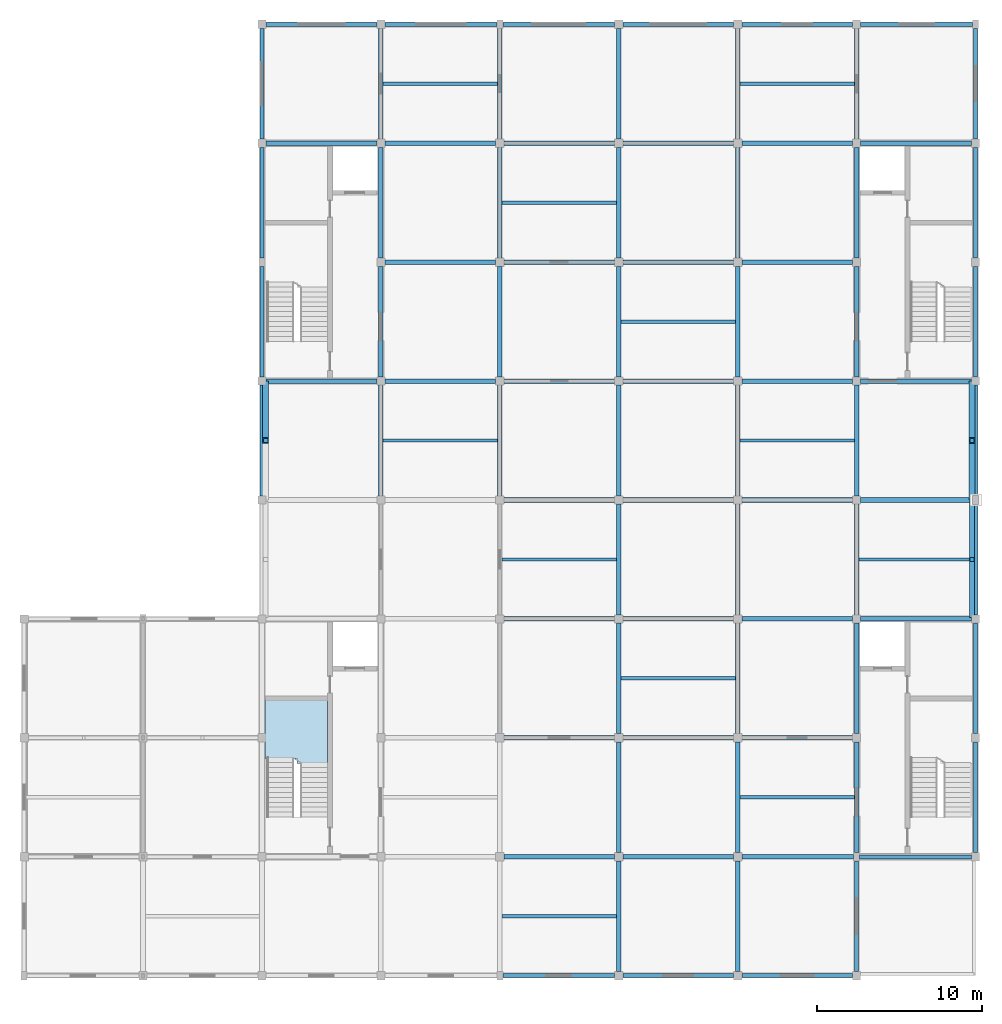
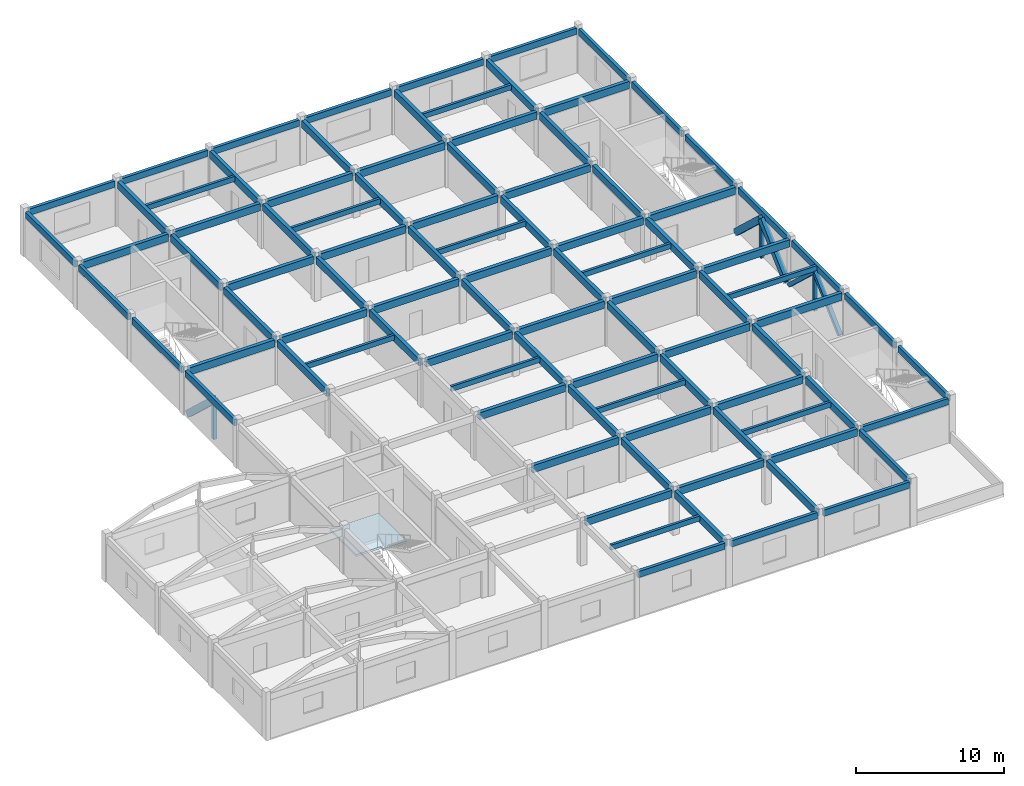
# One storey, part 5 of 10: 94 beams, 8 members, 1 slab, 1 element without a shape of its own.
"""IFC4 building model written with IfcOpenShell, lengths in metres."""

from ifc_helpers import new_model, si_unit, direction, frame, origin, origin_2d, place, context, subcontext, project, spatial, polyline, rectangle, outline, extrude, material, layer, layer_set, material_profile, profile_set, type_object, element, aggregate, save


model = new_model("IFC4")

# Units and contexts
model_context = context("Model", 3, precision=1e-05, world=origin(), true_north=direction((0.0, 1.0)))
body_context = subcontext(model_context, "Body", "Model", "MODEL_VIEW")
ifc_project = project(units=[si_unit("LENGTHUNIT", "METRE"), si_unit("AREAUNIT", "SQUARE_METRE"), si_unit("VOLUMEUNIT", "CUBIC_METRE"), si_unit("PLANEANGLEUNIT", "RADIAN"), si_unit("MASSUNIT", "GRAM", prefix="KILO")], contexts=[model_context])

# Site, building, storey
site_placement = place(None, origin())
site = spatial("IfcSite", under=ifc_project, at=site_placement, CompositionType="ELEMENT")
building_placement = place(site_placement, origin())
building = spatial("IfcBuilding", under=site, at=building_placement, Name="Cendaluz Park School", CompositionType="ELEMENT")
storey_placement = place(building_placement, frame((0.0, 0.0, 51.0)))
storey = spatial("IfcBuildingStorey", under=building, at=storey_placement, Name="L12", CompositionType="ELEMENT", Elevation=51.0)

# Beams
ifc_material_1 = material(Name="Glulam GL28h", Category="wood")
ifc_material_profile_1 = material_profile(ifc_material_1, rectangle(XDim=0.280029296875, YDim=0.60009765625, at=origin_2d()), Name="GL28h 280x600", Category="wood")
ifc_profile_set_1 = profile_set([ifc_material_profile_1], Name="Glulam GL28h")
beam_type_1 = type_object("IfcBeamType", Name="BM-GL02", PredefinedType="BEAM", material=ifc_profile_set_1)
for number, where, z_axis, x_axis, name in (
    (1, (65.050048828125, 43.199951171875, 3.389892578125), (1.0, 0.0, 0.0), (0.0, 1.0, 0.0), "BM-L12-BMGL02-0013"),
    (2, (65.050048828125, 57.60009765625, 3.389892578125), (1.0, 0.0, 0.0), (0.0, 1.0, 0.0), "BM-L12-BMGL02-0014"),
    (3, (72.25, 43.199951171875, 3.389892578125), (1.0, 0.0, 0.0), (0.0, 1.0, 0.0), "BM-L12-BMGL02-0021"),
    (4, (72.25, 50.39990234375, 3.389892578125), (1.0, 0.0, 0.0), (0.0, 1.0, 0.0), "BM-L12-BMGL02-0022"),
    (5, (72.25, 57.60009765625, 3.389892578125), (1.0, 0.0, 0.0), (0.0, 1.0, 0.0), "BM-L12-BMGL02-0023"),
    (6, (79.449951171875, 14.39990234375, 3.389892578125), (1.0, 0.0, 0.0), (0.0, 1.0, 0.0), "BM-L12-BMGL02-0026"),
    (7, (79.449951171875, 21.60009765625, 3.389892578125), (1.0, 0.0, 0.0), (0.0, 1.0, 0.0), "BM-L12-BMGL02-0027"),
    (8, (79.449951171875, 28.800048828125, 3.389892578125), (1.0, 0.0, 0.0), (0.0, 1.0, 0.0), "BM-L12-BMGL02-0028"),
    (9, (79.449951171875, 36.0, 3.389892578125), (1.0, 0.0, 0.0), (0.0, 1.0, 0.0), "BM-L12-BMGL02-0029"),
    (10, (79.449951171875, 43.199951171875, 3.389892578125), (1.0, 0.0, 0.0), (0.0, 1.0, 0.0), "BM-L12-BMGL02-0030"),
    (11, (79.449951171875, 50.39990234375, 3.389892578125), (1.0, 0.0, 0.0), (0.0, 1.0, 0.0), "BM-L12-BMGL02-0031"),
    (12, (79.449951171875, 57.60009765625, 3.389892578125), (1.0, 0.0, 0.0), (0.0, 1.0, 0.0), "BM-L12-BMGL02-0032"),
):
    element("IfcBeam", number, at=place(storey_placement, frame(where, z_axis=z_axis, x_axis=x_axis)), inside=storey, type_object=beam_type_1, Name=name, PredefinedType="BEAM", context=body_context, shape_type="SweptSolid", body=[
        extrude(rectangle(XDim=0.280029296875, YDim=0.60009765625, at=origin_2d()), origin(), (0.0, 0.0, 1.0), 6.699951171875),
    ])
for number, where, z_axis, x_axis, name in (
    (13, (86.64990234375, 14.39990234375, 3.389892578125), (1.0, 0.0, 0.0), (0.0, 1.0, 0.0), "BM-L12-BMGL02-0035"),
    (14, (86.64990234375, 21.60009765625, 3.389892578125), (1.0, 0.0, 0.0), (0.0, 1.0, 0.0), "BM-L12-BMGL02-0036"),
    (15, (86.64990234375, 28.800048828125, 3.389892578125), (1.0, 0.0, 0.0), (0.0, 1.0, 0.0), "BM-L12-BMGL02-0037"),
    (16, (86.64990234375, 36.0, 3.389892578125), (1.0, 0.0, 0.0), (0.0, 1.0, 0.0), "BM-L12-BMGL02-0038"),
    (17, (86.64990234375, 43.199951171875, 3.389892578125), (1.0, 0.0, 0.0), (0.0, 1.0, 0.0), "BM-L12-BMGL02-0039"),
    (18, (86.64990234375, 50.39990234375, 3.389892578125), (1.0, 0.0, 0.0), (0.0, 1.0, 0.0), "BM-L12-BMGL02-0040"),
    (19, (86.64990234375, 57.60009765625, 3.389892578125), (1.0, 0.0, 0.0), (0.0, 1.0, 0.0), "BM-L12-BMGL02-0041"),
):
    element("IfcBeam", number, at=place(storey_placement, frame(where, z_axis=z_axis, x_axis=x_axis)), inside=storey, type_object=beam_type_1, Name=name, PredefinedType="BEAM", context=body_context, shape_type="SweptSolid", body=[
        extrude(rectangle(XDim=0.280029296875, YDim=0.60009765625, at=origin_2d()), origin(), (0.0, 0.0, 1.0), 6.7001953125),
    ])
beam_1_placement = place(storey_placement, frame((93.85009765625, 14.39990234375, 3.389892578125), z_axis=(1.0, 0.0, 0.0), x_axis=(0.0, 1.0, 0.0)))
element("IfcBeam", 20, at=beam_1_placement, inside=storey, type_object=beam_type_1, Name="BM-L12-BMGL02-0044", PredefinedType="BEAM", context=body_context, shape_type="SweptSolid", body=[
    extrude(rectangle(XDim=0.280029296875, YDim=0.60009765625, at=origin_2d()), origin(), (0.0, 0.0, 1.0), 6.77001953125),
])
for number, where, z_axis, x_axis, name in (
    (21, (93.85009765625, 21.60009765625, 3.389892578125), (1.0, 0.0, 0.0), (0.0, 1.0, 0.0), "BM-L12-BMGL02-0045"),
    (22, (93.85009765625, 28.800048828125, 3.389892578125), (1.0, 0.0, 0.0), (0.0, 1.0, 0.0), "BM-L12-BMGL02-0046"),
    (23, (93.85009765625, 36.0, 3.389892578125), (1.0, 0.0, 0.0), (0.0, 1.0, 0.0), "BM-L12-BMGL02-0047"),
    (24, (93.85009765625, 43.199951171875, 3.389892578125), (1.0, 0.0, 0.0), (0.0, 1.0, 0.0), "BM-L12-BMGL02-0048"),
    (25, (93.85009765625, 50.39990234375, 3.389892578125), (1.0, 0.0, 0.0), (0.0, 1.0, 0.0), "BM-L12-BMGL02-0049"),
    (26, (93.85009765625, 57.60009765625, 3.389892578125), (1.0, 0.0, 0.0), (0.0, 1.0, 0.0), "BM-L12-BMGL02-0050"),
    (27, (101.050048828125, 28.800048828125, 3.389892578125), (1.0, 0.0, 0.0), (0.0, 1.0, 0.0), "BM-L12-BMGL02-0053"),
):
    element("IfcBeam", number, at=place(storey_placement, frame(where, z_axis=z_axis, x_axis=x_axis)), inside=storey, type_object=beam_type_1, Name=name, PredefinedType="BEAM", context=body_context, shape_type="SweptSolid", body=[
        extrude(rectangle(XDim=0.280029296875, YDim=0.60009765625, at=origin_2d()), origin(), (0.0, 0.0, 1.0), 6.699951171875),
    ])
beam_2_placement = place(storey_placement, frame((101.050048828125, 36.0, 3.389892578125), z_axis=(1.0, 0.0, 0.0), x_axis=(0.0, 1.0, 0.0)))
element("IfcBeam", 28, at=beam_2_placement, inside=storey, type_object=beam_type_1, Name="BM-L12-BMGL02-0054", PredefinedType="BEAM", context=body_context, shape_type="SweptSolid", body=[
    extrude(rectangle(XDim=0.280029296875, YDim=0.60009765625, at=origin_2d()), origin(), (0.0, 0.0, 1.0), 6.77001953125),
])
for number, where, z_axis, x_axis, name in (
    (29, (101.050048828125, 43.199951171875, 3.389892578125), (1.0, 0.0, 0.0), (0.0, 1.0, 0.0), "BM-L12-BMGL02-0055"),
    (30, (101.050048828125, 57.60009765625, 3.389892578125), (1.0, 0.0, 0.0), (0.0, 1.0, 0.0), "BM-L12-BMGL02-0056"),
    (31, (72.0, 36.25, 3.389892578125), (0.0, 1.0, 0.0), (-1.0, 0.0, 0.0), "BM-L12-BMGL02-0076"),
    (32, (72.0, 43.449951171875, 3.389892578125), (0.0, 1.0, 0.0), (-1.0, 0.0, 0.0), "BM-L12-BMGL02-0077"),
):
    element("IfcBeam", number, at=place(storey_placement, frame(where, z_axis=z_axis, x_axis=x_axis)), inside=storey, type_object=beam_type_1, Name=name, PredefinedType="BEAM", context=body_context, shape_type="SweptSolid", body=[
        extrude(rectangle(XDim=0.280029296875, YDim=0.60009765625, at=origin_2d()), origin(), (0.0, 0.0, 1.0), 6.699951171875),
    ])
beam_3_placement = place(storey_placement, frame((72.0, 50.64990234375, 3.389892578125), z_axis=(0.0, 1.0, 0.0), x_axis=(-1.0, 0.0, 0.0)))
element("IfcBeam", 33, at=beam_3_placement, inside=storey, type_object=beam_type_1, Name="BM-L12-BMGL02-0078", PredefinedType="BEAM", context=body_context, shape_type="SweptSolid", body=[
    extrude(rectangle(XDim=0.280029296875, YDim=0.60009765625, at=origin_2d()), origin(), (0.0, 0.0, 1.0), 6.7001953125),
])
for number, where, z_axis, x_axis, name in (
    (34, (72.0, 57.85009765625, 3.389892578125), (0.0, 1.0, 0.0), (-1.0, 0.0, 0.0), "BM-L12-BMGL02-0079"),
    (35, (79.199951171875, 36.25, 3.389892578125), (0.0, 1.0, 0.0), (-1.0, 0.0, 0.0), "BM-L12-BMGL02-0084"),
    (36, (79.199951171875, 43.449951171875, 3.389892578125), (0.0, 1.0, 0.0), (-1.0, 0.0, 0.0), "BM-L12-BMGL02-0085"),
):
    element("IfcBeam", number, at=place(storey_placement, frame(where, z_axis=z_axis, x_axis=x_axis)), inside=storey, type_object=beam_type_1, Name=name, PredefinedType="BEAM", context=body_context, shape_type="SweptSolid", body=[
        extrude(rectangle(XDim=0.280029296875, YDim=0.60009765625, at=origin_2d()), origin(), (0.0, 0.0, 1.0), 6.699951171875),
    ])
beam_4_placement = place(storey_placement, frame((79.199951171875, 50.64990234375, 3.389892578125), z_axis=(0.0, 1.0, 0.0), x_axis=(-1.0, 0.0, 0.0)))
element("IfcBeam", 37, at=beam_4_placement, inside=storey, type_object=beam_type_1, Name="BM-L12-BMGL02-0086", PredefinedType="BEAM", context=body_context, shape_type="SweptSolid", body=[
    extrude(rectangle(XDim=0.280029296875, YDim=0.60009765625, at=origin_2d()), origin(), (0.0, 0.0, 1.0), 6.7001953125),
])
beam_5_placement = place(storey_placement, frame((79.199951171875, 57.85009765625, 3.389892578125), z_axis=(0.0, 1.0, 0.0), x_axis=(-1.0, 0.0, 0.0)))
element("IfcBeam", 38, at=beam_5_placement, inside=storey, type_object=beam_type_1, Name="BM-L12-BMGL02-0087", PredefinedType="BEAM", context=body_context, shape_type="SweptSolid", body=[
    extrude(rectangle(XDim=0.280029296875, YDim=0.60009765625, at=origin_2d()), origin(), (0.0, 0.0, 1.0), 6.68994140625),
])
beam_6_placement = place(storey_placement, frame((86.39990234375, 7.449951171875, 3.389892578125), z_axis=(0.0, 1.0, 0.0), x_axis=(-1.0, 0.0, 0.0)))
element("IfcBeam", 39, at=beam_6_placement, inside=storey, type_object=beam_type_1, Name="BM-L12-BMGL02-0088", PredefinedType="BEAM", context=body_context, shape_type="SweptSolid", body=[
    extrude(rectangle(XDim=0.280029296875, YDim=0.60009765625, at=origin_2d()), origin(), (0.0, 0.0, 1.0), 6.699951171875),
])
beam_7_placement = place(storey_placement, frame((86.39990234375, 14.64990234375, 3.389892578125), z_axis=(0.0, 1.0, 0.0), x_axis=(-1.0, 0.0, 0.0)))
element("IfcBeam", 40, at=beam_7_placement, inside=storey, type_object=beam_type_1, Name="BM-L12-BMGL02-0089", PredefinedType="BEAM", context=body_context, shape_type="SweptSolid", body=[
    extrude(rectangle(XDim=0.280029296875, YDim=0.60009765625, at=origin_2d()), origin(), (0.0, 0.0, 1.0), 6.7001953125),
])
for number, where, z_axis, x_axis, name in (
    (41, (86.39990234375, 21.85009765625, 3.389892578125), (0.0, 1.0, 0.0), (-1.0, 0.0, 0.0), "BM-L12-BMGL02-0090"),
    (42, (86.39990234375, 29.050048828125, 3.389892578125), (0.0, 1.0, 0.0), (-1.0, 0.0, 0.0), "BM-L12-BMGL02-0091"),
    (43, (86.39990234375, 36.25, 3.389892578125), (0.0, 1.0, 0.0), (-1.0, 0.0, 0.0), "BM-L12-BMGL02-0092"),
    (44, (86.39990234375, 43.449951171875, 3.389892578125), (0.0, 1.0, 0.0), (-1.0, 0.0, 0.0), "BM-L12-BMGL02-0093"),
):
    element("IfcBeam", number, at=place(storey_placement, frame(where, z_axis=z_axis, x_axis=x_axis)), inside=storey, type_object=beam_type_1, Name=name, PredefinedType="BEAM", context=body_context, shape_type="SweptSolid", body=[
        extrude(rectangle(XDim=0.280029296875, YDim=0.60009765625, at=origin_2d()), origin(), (0.0, 0.0, 1.0), 6.699951171875),
    ])
beam_8_placement = place(storey_placement, frame((86.39990234375, 50.64990234375, 3.389892578125), z_axis=(0.0, 1.0, 0.0), x_axis=(-1.0, 0.0, 0.0)))
element("IfcBeam", 45, at=beam_8_placement, inside=storey, type_object=beam_type_1, Name="BM-L12-BMGL02-0094", PredefinedType="BEAM", context=body_context, shape_type="SweptSolid", body=[
    extrude(rectangle(XDim=0.280029296875, YDim=0.60009765625, at=origin_2d()), origin(), (0.0, 0.0, 1.0), 6.7001953125),
])
for number, where, z_axis, x_axis, name in (
    (46, (86.39990234375, 57.85009765625, 3.389892578125), (0.0, 1.0, 0.0), (-1.0, 0.0, 0.0), "BM-L12-BMGL02-0095"),
    (47, (93.60009765625, 7.449951171875, 3.389892578125), (0.0, 1.0, 0.0), (-1.0, 0.0, 0.0), "BM-L12-BMGL02-0096"),
):
    element("IfcBeam", number, at=place(storey_placement, frame(where, z_axis=z_axis, x_axis=x_axis)), inside=storey, type_object=beam_type_1, Name=name, PredefinedType="BEAM", context=body_context, shape_type="SweptSolid", body=[
        extrude(rectangle(XDim=0.280029296875, YDim=0.60009765625, at=origin_2d()), origin(), (0.0, 0.0, 1.0), 6.699951171875),
    ])
beam_9_placement = place(storey_placement, frame((93.60009765625, 14.64990234375, 3.389892578125), z_axis=(0.0, 1.0, 0.0), x_axis=(-1.0, 0.0, 0.0)))
element("IfcBeam", 48, at=beam_9_placement, inside=storey, type_object=beam_type_1, Name="BM-L12-BMGL02-0097", PredefinedType="BEAM", context=body_context, shape_type="SweptSolid", body=[
    extrude(rectangle(XDim=0.280029296875, YDim=0.60009765625, at=origin_2d()), origin(), (0.0, 0.0, 1.0), 6.7001953125),
])
for number, where, z_axis, x_axis, name in (
    (49, (93.60009765625, 21.85009765625, 3.389892578125), (0.0, 1.0, 0.0), (-1.0, 0.0, 0.0), "BM-L12-BMGL02-0098"),
    (50, (93.60009765625, 29.050048828125, 3.389892578125), (0.0, 1.0, 0.0), (-1.0, 0.0, 0.0), "BM-L12-BMGL02-0099"),
    (51, (93.60009765625, 36.25, 3.389892578125), (0.0, 1.0, 0.0), (-1.0, 0.0, 0.0), "BM-L12-BMGL02-0100"),
    (52, (93.60009765625, 43.449951171875, 3.389892578125), (0.0, 1.0, 0.0), (-1.0, 0.0, 0.0), "BM-L12-BMGL02-0101"),
):
    element("IfcBeam", number, at=place(storey_placement, frame(where, z_axis=z_axis, x_axis=x_axis)), inside=storey, type_object=beam_type_1, Name=name, PredefinedType="BEAM", context=body_context, shape_type="SweptSolid", body=[
        extrude(rectangle(XDim=0.280029296875, YDim=0.60009765625, at=origin_2d()), origin(), (0.0, 0.0, 1.0), 6.699951171875),
    ])
beam_10_placement = place(storey_placement, frame((93.60009765625, 50.64990234375, 3.389892578125), z_axis=(0.0, 1.0, 0.0), x_axis=(-1.0, 0.0, 0.0)))
element("IfcBeam", 53, at=beam_10_placement, inside=storey, type_object=beam_type_1, Name="BM-L12-BMGL02-0102", PredefinedType="BEAM", context=body_context, shape_type="SweptSolid", body=[
    extrude(rectangle(XDim=0.280029296875, YDim=0.60009765625, at=origin_2d()), origin(), (0.0, 0.0, 1.0), 6.7001953125),
])
beam_11_placement = place(storey_placement, frame((93.60009765625, 57.85009765625, 3.389892578125), z_axis=(0.0, 1.0, 0.0), x_axis=(-1.0, 0.0, 0.0)))
element("IfcBeam", 54, at=beam_11_placement, inside=storey, type_object=beam_type_1, Name="BM-L12-BMGL02-0103", PredefinedType="BEAM", context=body_context, shape_type="SweptSolid", body=[
    extrude(rectangle(XDim=0.280029296875, YDim=0.60009765625, at=origin_2d()), origin(), (0.0, 0.0, 1.0), 6.699951171875),
])
beam_12_placement = place(storey_placement, frame((100.800048828125, 14.659912109375, 3.389892578125), z_axis=(0.0, 1.0, 0.0), x_axis=(-1.0, 0.0, 0.0)))
element("IfcBeam", 55, at=beam_12_placement, inside=storey, type_object=beam_type_1, Name="BM-L12-BMGL02-0105", PredefinedType="BEAM", context=body_context, shape_type="SweptSolid", body=[
    extrude(rectangle(XDim=0.280029296875, YDim=0.60009765625, at=origin_2d()), origin(), (0.0, 0.0, 1.0), 6.690185546875),
])
for number, where, z_axis, x_axis, name in (
    (56, (100.800048828125, 21.85009765625, 3.389892578125), (0.0, 1.0, 0.0), (-1.0, 0.0, 0.0), "BM-L12-BMGL02-0106"),
    (57, (100.800048828125, 29.050048828125, 3.389892578125), (0.0, 1.0, 0.0), (-1.0, 0.0, 0.0), "BM-L12-BMGL02-0107"),
    (58, (100.800048828125, 36.25, 3.389892578125), (0.0, 1.0, 0.0), (-1.0, 0.0, 0.0), "BM-L12-BMGL02-0108"),
    (59, (100.800048828125, 43.449951171875, 3.389892578125), (0.0, 1.0, 0.0), (-1.0, 0.0, 0.0), "BM-L12-BMGL02-0109"),
):
    element("IfcBeam", number, at=place(storey_placement, frame(where, z_axis=z_axis, x_axis=x_axis)), inside=storey, type_object=beam_type_1, Name=name, PredefinedType="BEAM", context=body_context, shape_type="SweptSolid", body=[
        extrude(rectangle(XDim=0.280029296875, YDim=0.60009765625, at=origin_2d()), origin(), (0.0, 0.0, 1.0), 6.699951171875),
    ])
beam_13_placement = place(storey_placement, frame((100.800048828125, 50.64990234375, 3.389892578125), z_axis=(0.0, 1.0, 0.0), x_axis=(-1.0, 0.0, 0.0)))
element("IfcBeam", 60, at=beam_13_placement, inside=storey, type_object=beam_type_1, Name="BM-L12-BMGL02-0110", PredefinedType="BEAM", context=body_context, shape_type="SweptSolid", body=[
    extrude(rectangle(XDim=0.280029296875, YDim=0.60009765625, at=origin_2d()), origin(), (0.0, 0.0, 1.0), 6.7001953125),
])
beam_14_placement = place(storey_placement, frame((100.800048828125, 57.85009765625, 3.389892578125), z_axis=(0.0, 1.0, 0.0), x_axis=(-1.0, 0.0, 0.0)))
element("IfcBeam", 61, at=beam_14_placement, inside=storey, type_object=beam_type_1, Name="BM-L12-BMGL02-0111", PredefinedType="BEAM", context=body_context, shape_type="SweptSolid", body=[
    extrude(rectangle(XDim=0.280029296875, YDim=0.60009765625, at=origin_2d()), origin(), (0.0, 0.0, 1.0), 6.699951171875),
])
ifc_material_profile_2 = material_profile(ifc_material_1, rectangle(XDim=0.239990234375, YDim=0.52001953125, at=origin_2d()), Name="GL28h 240x520", Category="wood")
ifc_profile_set_2 = profile_set([ifc_material_profile_2], Name="Glulam GL28h")
beam_type_2 = type_object("IfcBeamType", Name="BM-GL03", PredefinedType="SPANDREL", material=ifc_profile_set_2)
beam_15_placement = place(storey_placement, frame((65.050048828125, 64.800048828125, 3.429931640625), z_axis=(1.0, 0.0, 0.0), x_axis=(0.0, 1.0, 0.0)))
element("IfcBeam", 62, at=beam_15_placement, inside=storey, type_object=beam_type_2, Name="BM-L12-BMGL03-0015", PredefinedType="SPANDREL", context=body_context, shape_type="SweptSolid", body=[
    extrude(rectangle(XDim=0.239990234375, YDim=0.52001953125, at=origin_2d()), origin(), (0.0, 0.0, 1.0), 6.699951171875),
])
for number, where, z_axis, x_axis, name in (
    (63, (72.25, 64.800048828125, 3.429931640625), (1.0, 0.0, 0.0), (0.0, 1.0, 0.0), "BM-L12-BMGL03-0024"),
    (64, (79.3798828125, 7.199951171875, 3.429931640625), (1.0, 0.0, 0.0), (0.0, 1.0, 0.0), "BM-L12-BMGL03-0025"),
    (65, (79.3798828125, 64.800048828125, 3.429931640625), (1.0, 0.0, 0.0), (0.0, 1.0, 0.0), "BM-L12-BMGL03-0033"),
):
    element("IfcBeam", number, at=place(storey_placement, frame(where, z_axis=z_axis, x_axis=x_axis)), inside=storey, type_object=beam_type_2, Name=name, PredefinedType="SPANDREL", context=body_context, shape_type="SweptSolid", body=[
        extrude(rectangle(XDim=0.239990234375, YDim=0.52001953125, at=origin_2d()), origin(), (0.0, 0.0, 1.0), 6.77001953125),
    ])
for number, where, z_axis, x_axis, name in (
    (66, (86.64990234375, 7.199951171875, 3.429931640625), (1.0, 0.0, 0.0), (0.0, 1.0, 0.0), "BM-L12-BMGL03-0034"),
    (67, (86.64990234375, 64.800048828125, 3.429931640625), (1.0, 0.0, 0.0), (0.0, 1.0, 0.0), "BM-L12-BMGL03-0042"),
):
    element("IfcBeam", number, at=place(storey_placement, frame(where, z_axis=z_axis, x_axis=x_axis)), inside=storey, type_object=beam_type_2, Name=name, PredefinedType="SPANDREL", context=body_context, shape_type="SweptSolid", body=[
        extrude(rectangle(XDim=0.239990234375, YDim=0.52001953125, at=origin_2d()), origin(), (0.0, 0.0, 1.0), 6.7001953125),
    ])
for number, where, z_axis, x_axis, name in (
    (68, (93.85009765625, 7.199951171875, 3.429931640625), (1.0, 0.0, 0.0), (0.0, 1.0, 0.0), "BM-L12-BMGL03-0043"),
    (69, (93.85009765625, 64.800048828125, 3.429931640625), (1.0, 0.0, 0.0), (0.0, 1.0, 0.0), "BM-L12-BMGL03-0051"),
):
    element("IfcBeam", number, at=place(storey_placement, frame(where, z_axis=z_axis, x_axis=x_axis)), inside=storey, type_object=beam_type_2, Name=name, PredefinedType="SPANDREL", context=body_context, shape_type="SweptSolid", body=[
        extrude(rectangle(XDim=0.239990234375, YDim=0.52001953125, at=origin_2d()), origin(), (0.0, 0.0, 1.0), 6.699951171875),
    ])
for number, where, z_axis, x_axis, name in (
    (70, (100.97998046875, 14.39990234375, 3.429931640625), (1.0, 0.0, 0.0), (0.0, 1.0, 0.0), "BM-L12-BMGL03-0052"),
    (71, (101.050048828125, 64.800048828125, 3.429931640625), (1.0, 0.0, 0.0), (0.0, 1.0, 0.0), "BM-L12-BMGL03-0057"),
):
    element("IfcBeam", number, at=place(storey_placement, frame(where, z_axis=z_axis, x_axis=x_axis)), inside=storey, type_object=beam_type_2, Name=name, PredefinedType="SPANDREL", context=body_context, shape_type="SweptSolid", body=[
        extrude(rectangle(XDim=0.239990234375, YDim=0.52001953125, at=origin_2d()), origin(), (0.0, 0.0, 1.0), 6.77001953125),
    ])
beam_16_placement = place(storey_placement, frame((64.800048828125, 36.25, 3.429931640625), z_axis=(0.0, 1.0, 0.0), x_axis=(-1.0, 0.0, 0.0)))
element("IfcBeam", 72, at=beam_16_placement, inside=storey, type_object=beam_type_2, Name="BM-L12-BMGL03-0068", PredefinedType="SPANDREL", context=body_context, shape_type="SweptSolid", body=[
    extrude(rectangle(XDim=0.239990234375, YDim=0.52001953125, at=origin_2d()), origin(), (0.0, 0.0, 1.0), 6.699951171875),
])
beam_17_placement = place(storey_placement, frame((64.800048828125, 43.449951171875, 3.429931640625), z_axis=(0.0, 1.0, 0.0), x_axis=(-1.0, 0.0, 0.0)))
element("IfcBeam", 73, at=beam_17_placement, inside=storey, type_object=beam_type_2, Name="BM-L12-BMGL03-0069", PredefinedType="SPANDREL", context=body_context, shape_type="SweptSolid", body=[
    extrude(rectangle(XDim=0.239990234375, YDim=0.52001953125, at=origin_2d()), origin(), (0.0, 0.0, 1.0), 6.68994140625),
])
beam_18_placement = place(storey_placement, frame((64.800048828125, 50.659912109375, 3.429931640625), z_axis=(0.0, 1.0, 0.0), x_axis=(-1.0, 0.0, 0.0)))
element("IfcBeam", 74, at=beam_18_placement, inside=storey, type_object=beam_type_2, Name="BM-L12-BMGL03-0070", PredefinedType="SPANDREL", context=body_context, shape_type="SweptSolid", body=[
    extrude(rectangle(XDim=0.239990234375, YDim=0.52001953125, at=origin_2d()), origin(), (0.0, 0.0, 1.0), 6.690185546875),
])
beam_19_placement = place(storey_placement, frame((64.800048828125, 57.85009765625, 3.429931640625), z_axis=(0.0, 1.0, 0.0), x_axis=(-1.0, 0.0, 0.0)))
element("IfcBeam", 75, at=beam_19_placement, inside=storey, type_object=beam_type_2, Name="BM-L12-BMGL03-0071", PredefinedType="SPANDREL", context=body_context, shape_type="SweptSolid", body=[
    extrude(rectangle(XDim=0.239990234375, YDim=0.52001953125, at=origin_2d()), origin(), (0.0, 0.0, 1.0), 6.699951171875),
])
beam_20_placement = place(storey_placement, frame((100.800048828125, 7.449951171875, 3.429931640625), z_axis=(0.0, 1.0, 0.0), x_axis=(-1.0, 0.0, 0.0)))
element("IfcBeam", 76, at=beam_20_placement, inside=storey, type_object=beam_type_2, Name="BM-L12-BMGL03-0104", PredefinedType="SPANDREL", context=body_context, shape_type="SweptSolid", body=[
    extrude(rectangle(XDim=0.239990234375, YDim=0.52001953125, at=origin_2d()), origin(), (0.0, 0.0, 1.0), 6.68994140625),
])
beam_21_placement = place(storey_placement, frame((108.0, 14.64990234375, 3.429931640625), z_axis=(0.0, 1.0, 0.0), x_axis=(-1.0, 0.0, 0.0)))
element("IfcBeam", 77, at=beam_21_placement, inside=storey, type_object=beam_type_2, Name="BM-L12-BMGL03-0112", PredefinedType="SPANDREL", context=body_context, shape_type="SweptSolid", body=[
    extrude(rectangle(XDim=0.239990234375, YDim=0.52001953125, at=origin_2d()), origin(), (0.0, 0.0, 1.0), 6.7001953125),
])
beam_22_placement = place(storey_placement, frame((108.0, 21.85009765625, 3.429931640625), z_axis=(0.0, 1.0, 0.0), x_axis=(-1.0, 0.0, 0.0)))
element("IfcBeam", 78, at=beam_22_placement, inside=storey, type_object=beam_type_2, Name="BM-L12-BMGL03-0113", PredefinedType="SPANDREL", context=body_context, shape_type="SweptSolid", body=[
    extrude(rectangle(XDim=0.239990234375, YDim=0.52001953125, at=origin_2d()), origin(), (0.0, 0.0, 1.0), 6.699951171875),
])
for number, where, z_axis, x_axis, name in (
    (79, (108.0, 29.050048828125, 3.429931640625), (0.0, 1.0, 0.0), (-1.0, 0.0, 0.0), "BM-L12-BMGL03-0114"),
    (80, (108.0, 36.260009765625, 3.429931640625), (0.0, 1.0, 0.0), (-1.0, 0.0, 0.0), "BM-L12-BMGL03-0115"),
):
    element("IfcBeam", number, at=place(storey_placement, frame(where, z_axis=z_axis, x_axis=x_axis)), inside=storey, type_object=beam_type_2, Name=name, PredefinedType="SPANDREL", context=body_context, shape_type="SweptSolid", body=[
        extrude(rectangle(XDim=0.239990234375, YDim=0.52001953125, at=origin_2d()), origin(), (0.0, 0.0, 1.0), 6.68994140625),
    ])
beam_23_placement = place(storey_placement, frame((108.0, 43.449951171875, 3.429931640625), z_axis=(0.0, 1.0, 0.0), x_axis=(-1.0, 0.0, 0.0)))
element("IfcBeam", 81, at=beam_23_placement, inside=storey, type_object=beam_type_2, Name="BM-L12-BMGL03-0116", PredefinedType="SPANDREL", context=body_context, shape_type="SweptSolid", body=[
    extrude(rectangle(XDim=0.239990234375, YDim=0.52001953125, at=origin_2d()), origin(), (0.0, 0.0, 1.0), 6.699951171875),
])
beam_24_placement = place(storey_placement, frame((108.0, 50.64990234375, 3.429931640625), z_axis=(0.0, 1.0, 0.0), x_axis=(-1.0, 0.0, 0.0)))
element("IfcBeam", 82, at=beam_24_placement, inside=storey, type_object=beam_type_2, Name="BM-L12-BMGL03-0117", PredefinedType="SPANDREL", context=body_context, shape_type="SweptSolid", body=[
    extrude(rectangle(XDim=0.239990234375, YDim=0.52001953125, at=origin_2d()), origin(), (0.0, 0.0, 1.0), 6.7001953125),
])
beam_25_placement = place(storey_placement, frame((108.0, 57.85009765625, 3.429931640625), z_axis=(0.0, 1.0, 0.0), x_axis=(-1.0, 0.0, 0.0)))
element("IfcBeam", 83, at=beam_25_placement, inside=storey, type_object=beam_type_2, Name="BM-L12-BMGL03-0118", PredefinedType="SPANDREL", context=body_context, shape_type="SweptSolid", body=[
    extrude(rectangle(XDim=0.239990234375, YDim=0.52001953125, at=origin_2d()), origin(), (0.0, 0.0, 1.0), 6.68994140625),
])
ifc_material_profile_3 = material_profile(ifc_material_1, rectangle(XDim=0.199951171875, YDim=0.419921875, at=origin_2d()), Name="GL28h 200x420", Category="wood")
ifc_profile_set_3 = profile_set([ifc_material_profile_3], Name="Glulam GL28h")
beam_type_3 = type_object("IfcBeamType", Name="JT-GL02", PredefinedType="JOIST", material=ifc_profile_set_3)
for number, where, z_axis, x_axis, name in (
    (84, (72.139892578125, 39.60009765625, 3.47998046875), (1.0, 0.0, 0.0), (0.0, 1.0, 0.0), "BM-L12-JTGL02-0122"),
    (85, (72.139892578125, 61.199951171875, 3.47998046875), (1.0, 0.0, 0.0), (0.0, 1.0, 0.0), "BM-L12-JTGL02-0123"),
):
    element("IfcBeam", number, at=place(storey_placement, frame(where, z_axis=z_axis, x_axis=x_axis)), inside=storey, type_object=beam_type_3, Name=name, PredefinedType="JOIST", context=body_context, shape_type="SweptSolid", body=[
        extrude(rectangle(XDim=0.199951171875, YDim=0.419921875, at=origin_2d()), origin(), (0.0, 0.0, 1.0), 6.920166015625),
    ])
for number, where, z_axis, x_axis, name in (
    (86, (79.340087890625, 10.800048828125, 3.47998046875), (1.0, 0.0, 0.0), (0.0, 1.0, 0.0), "BM-L12-JTGL02-0124"),
    (87, (79.340087890625, 32.39990234375, 3.47998046875), (1.0, 0.0, 0.0), (0.0, 1.0, 0.0), "BM-L12-JTGL02-0125"),
    (88, (79.340087890625, 54.0, 3.47998046875), (1.0, 0.0, 0.0), (0.0, 1.0, 0.0), "BM-L12-JTGL02-0126"),
    (89, (86.5400390625, 25.199951171875, 3.47998046875), (1.0, 0.0, 0.0), (0.0, 1.0, 0.0), "BM-L12-JTGL02-0127"),
    (90, (86.5400390625, 46.800048828125, 3.47998046875), (1.0, 0.0, 0.0), (0.0, 1.0, 0.0), "BM-L12-JTGL02-0128"),
    (91, (93.739990234375, 18.0, 3.47998046875), (1.0, 0.0, 0.0), (0.0, 1.0, 0.0), "BM-L12-JTGL02-0129"),
    (92, (93.739990234375, 39.60009765625, 3.47998046875), (1.0, 0.0, 0.0), (0.0, 1.0, 0.0), "BM-L12-JTGL02-0130"),
    (93, (93.739990234375, 61.199951171875, 3.47998046875), (1.0, 0.0, 0.0), (0.0, 1.0, 0.0), "BM-L12-JTGL02-0131"),
):
    element("IfcBeam", number, at=place(storey_placement, frame(where, z_axis=z_axis, x_axis=x_axis)), inside=storey, type_object=beam_type_3, Name=name, PredefinedType="JOIST", context=body_context, shape_type="SweptSolid", body=[
        extrude(rectangle(XDim=0.199951171875, YDim=0.419921875, at=origin_2d()), origin(), (0.0, 0.0, 1.0), 6.919921875),
    ])
beam_26_placement = place(storey_placement, frame((100.93994140625, 32.39990234375, 3.47998046875), z_axis=(1.0, 0.0, 0.0), x_axis=(0.0, 1.0, 0.0)))
element("IfcBeam", 94, at=beam_26_placement, inside=storey, type_object=beam_type_3, Name="BM-L12-JTGL02-0132", PredefinedType="JOIST", context=body_context, shape_type="SweptSolid", body=[
    extrude(rectangle(XDim=0.199951171875, YDim=0.419921875, at=origin_2d()), origin(), (0.0, 0.0, 1.0), 6.93994140625),
])

# Members
ifc_material_2 = material(Name="Glulam GL32h", Category="wood")
ifc_material_profile_4 = material_profile(ifc_material_2, rectangle(XDim=0.300048828125, YDim=0.300048828125, at=origin_2d()), Name="GL32h 300x300", Category="wood")
ifc_profile_set_4 = profile_set([ifc_material_profile_4], Name="Glulam GL32h")
member_type_1 = type_object("IfcMemberType", Name="MBR-03", PredefinedType="BRACE", material=ifc_profile_set_4)
member_1_placement = place(storey_placement, frame((107.780029296875, 28.97998046875, 0.0), z_axis=(0.0, 0.731267023111, 0.682091299541), x_axis=(-1.0, 0.0, 0.0)))
element("IfcMember", 95, at=member_1_placement, inside=storey, type_object=member_type_1, Name="MB-L12-MBBR03-0004", PredefinedType="BRACE", context=body_context, shape_type="SweptSolid", body=[
    extrude(rectangle(XDim=0.300048828125, YDim=0.300048828125, at=origin_2d()), origin(), (0.0, 0.0, 1.0), 4.6767578125),
])
member_2_placement = place(storey_placement, frame((107.780029296875, 35.820068359375, 0.0), z_axis=(0.0, -0.731291309336, 0.682065261459), x_axis=(1.0, 0.0, 0.0)))
element("IfcMember", 96, at=member_2_placement, inside=storey, type_object=member_type_1, Name="MB-L12-MBBR03-0005", PredefinedType="BRACE", context=body_context, shape_type="SweptSolid", body=[
    extrude(rectangle(XDim=0.300048828125, YDim=0.300048828125, at=origin_2d()), origin(), (0.0, 0.0, 1.0), 4.677001953125),
])
ifc_material_profile_5 = material_profile(ifc_material_2, rectangle(XDim=0.360107421875, YDim=0.52001953125, at=origin_2d()), Name="GL32h 360x520", Category="wood")
ifc_profile_set_5 = profile_set([ifc_material_profile_5], Name="Glulam GL32h")
member_type_2 = type_object("IfcMemberType", Name="MBR-04", PredefinedType="BRACE", material=ifc_profile_set_5)
member_3_placement = place(storey_placement, frame((65.02001953125, 43.02001953125, 0.0), z_axis=(0.0, -0.731267023111, 0.682091299541), x_axis=(1.0, 0.0, 0.0)))
element("IfcMember", 97, at=member_3_placement, inside=storey, type_object=member_type_2, Name="MB-L12-MBBR04-0008", PredefinedType="BRACE", context=body_context, shape_type="SweptSolid", body=[
    extrude(rectangle(XDim=0.360107421875, YDim=0.52001953125, at=origin_2d()), origin(), (0.0, 0.0, 1.0), 4.6767578125),
])
member_4_placement = place(storey_placement, frame((107.780029296875, 36.179931640625, 0.0), z_axis=(0.0, 0.731291309336, 0.682065261459), x_axis=(-1.0, 0.0, 0.0)))
element("IfcMember", 98, at=member_4_placement, inside=storey, type_object=member_type_2, Name="MB-L12-MBBR04-0010", PredefinedType="BRACE", context=body_context, shape_type="SweptSolid", body=[
    extrude(rectangle(XDim=0.360107421875, YDim=0.52001953125, at=origin_2d()), origin(), (0.0, 0.0, 1.0), 4.677001953125),
])
member_5_placement = place(storey_placement, frame((107.780029296875, 43.02001953125, 0.0), z_axis=(0.0, -0.731267023111, 0.682091299541), x_axis=(1.0, 0.0, 0.0)))
element("IfcMember", 99, at=member_5_placement, inside=storey, type_object=member_type_2, Name="MB-L12-MBBR04-0011", PredefinedType="BRACE", context=body_context, shape_type="SweptSolid", body=[
    extrude(rectangle(XDim=0.360107421875, YDim=0.52001953125, at=origin_2d()), origin(), (0.0, 0.0, 1.0), 4.6767578125),
])
ifc_material_profile_6 = material_profile(ifc_material_2, rectangle(XDim=0.260009765625, YDim=0.260009765625, at=origin_2d()), Name="GL32h 260x260", Category="wood")
ifc_profile_set_6 = profile_set([ifc_material_profile_6], Name="Glulam GL32h")
member_type_3 = type_object("IfcMemberType", Name="MST-03", PredefinedType="STRUT", material=ifc_profile_set_6)
for number, where, z_axis, x_axis, name in (
    (100, (107.780029296875, 32.39990234375, 0.0), (0.0, 0.0, 1.0), (1.0, 0.0, 0.0), "MB-L12-MBST03-0006"),
    (101, (65.02001953125, 39.60009765625, 0.0), (0.0, 0.0, 1.0), (1.0, 0.0, 0.0), "MB-L12-MBST03-0009"),
    (102, (107.780029296875, 39.60009765625, 0.0), (0.0, 0.0, 1.0), (1.0, 0.0, 0.0), "MB-L12-MBST03-0012"),
):
    element("IfcMember", number, at=place(storey_placement, frame(where, z_axis=z_axis, x_axis=x_axis)), inside=storey, type_object=member_type_3, Name=name, PredefinedType="STRUT", context=body_context, shape_type="SweptSolid", body=[
        extrude(rectangle(XDim=0.260009765625, YDim=0.260009765625, at=origin_2d()), origin(), (0.0, 0.0, 1.0), 3.18994140625),
    ])

# Stair, slab
ifc_material_3 = material(Name="Cross-laminated timber CLT C24", Category="wood")
stair_type = type_object("IfcStairType", Name="ST-400-165", PredefinedType="HALF_TURN_STAIR", material=ifc_material_3)
stair_placement = place(storey_placement, origin())
stair = element("IfcStair", 103, at=stair_placement, inside=storey, type_object=stair_type, Name="ST-L12-C1", PredefinedType="HALF_TURN_STAIR")
ifc_layer = layer(ifc_material_3, 0.179931640625)
ifc_layer_set = layer_set([ifc_layer], Name="Cross-laminated timber CLT C24")
slab_type = type_object("IfcSlabType", Name="SL-LD-180", PredefinedType="LANDING", material=ifc_layer_set)
slab_placement = place(storey_placement, frame((0.0, 0.0, 1.89990234375)))
slab = element("IfcSlab", 104, at=slab_placement, type_object=slab_type, Name="SL-LD-L12-C1", PredefinedType="LANDING", context=body_context, shape_type="SweptSolid", body=[
    extrude(outline(polyline([(64.989990234375, 20.360107421875), (66.925048828125, 20.360107421875), (66.925048828125, 20.06005859375), (68.77001953125, 20.06005859375), (68.77001953125, 23.860107421875), (64.989990234375, 23.860107421875), (64.989990234375, 20.360107421875)])), origin(), (0.0, 0.0, 1.0), 0.18017578125),
])
aggregate(stair, [slab])

save(model, "model.ifc")
